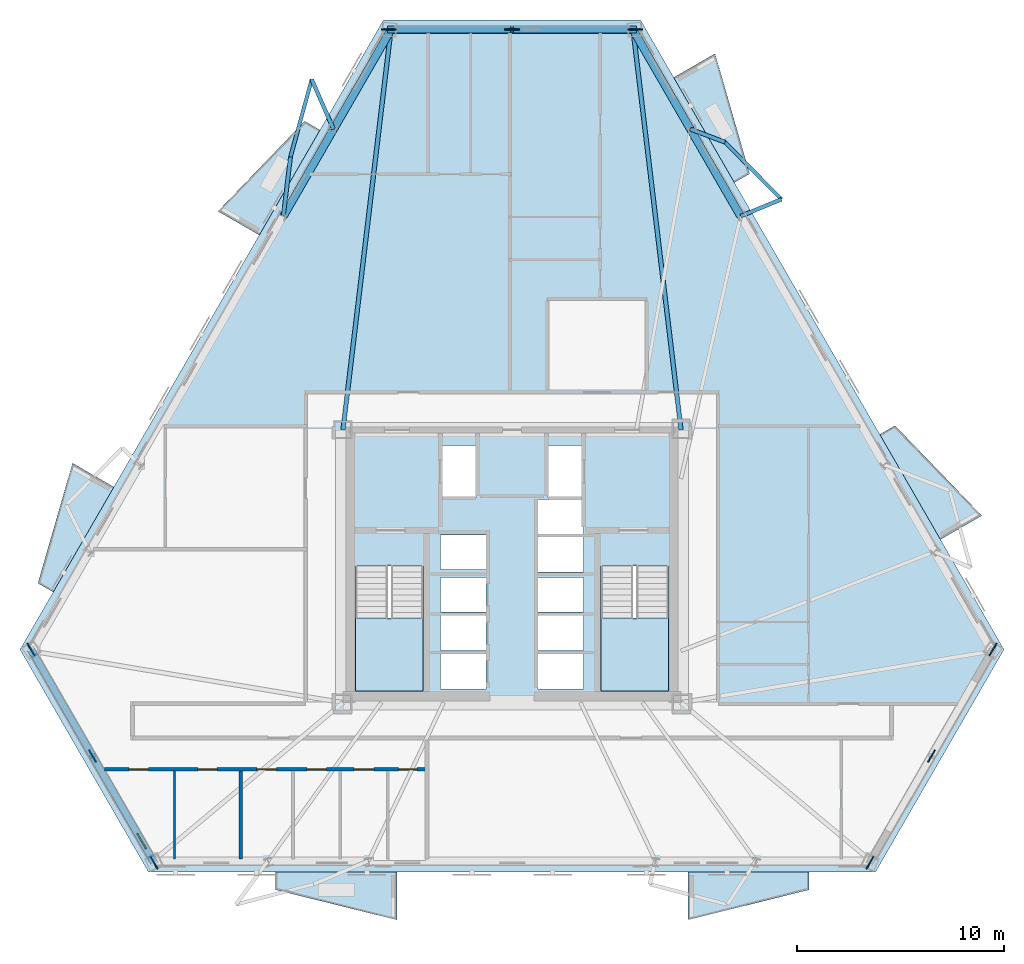
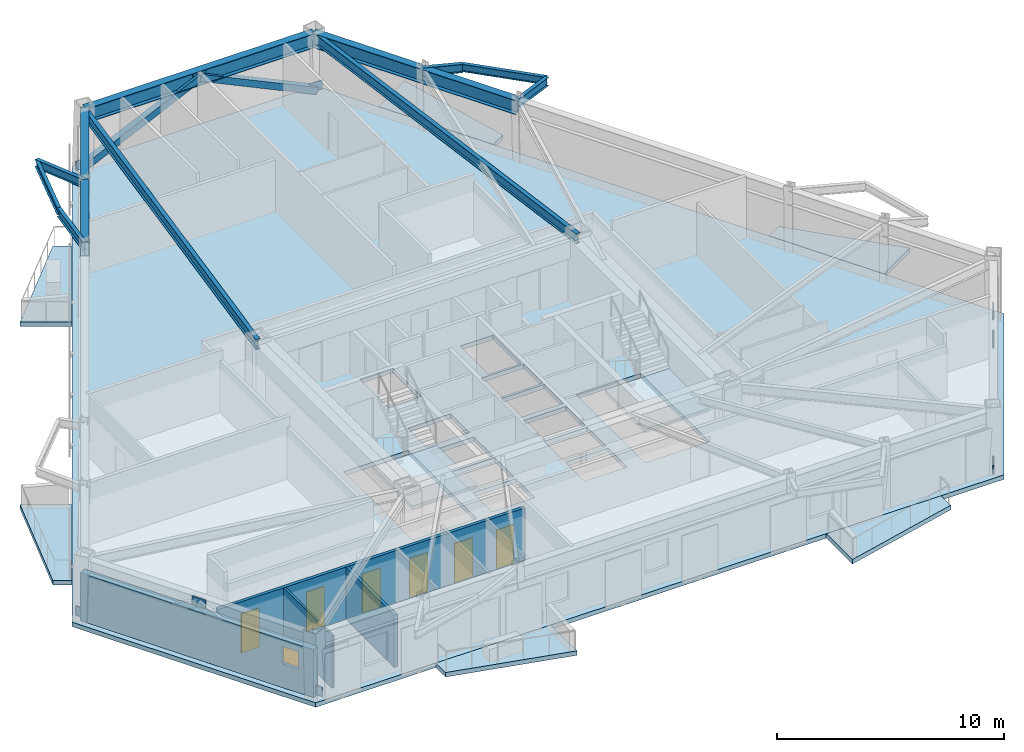
# One storey, part 2 of 10: 13 beams, 9 plates, 9 slabs, 6 doors, 4 walls, 2 members, 1 window, 7 openings, 2 elements without a shape of their own.
"""IFC4 building model written with IfcOpenShell, lengths in metres."""

import ifcopenshell
import ifcopenshell.guid

model = None  # the IFC model being written
_history = None  # IfcOwnerHistory: only IFC2X3 demands one
_inside = {}  # id of a spatial element -> (the spatial element, [elements in it])
_under = {}  # id of a project, library or spatial element -> (it, [spatial elements below it])
_declared = {}  # id of a project -> (the project, [libraries it declares])
_typed = {}  # id of a type object -> (the type object, [elements of that type])
_made_of = {}  # id of a material, layer set ... -> (it, [elements and type objects made of it])


def new_model(schema):
    """Start an empty IFC model of exactly this schema.

    Asked for "IFC4X3", IfcOpenShell would pick the latest addendum, in which some entities
    have other attributes; the version numbers below select the first issue.
    IFC2X3 requires an IfcOwnerHistory on every rooted entity: one is made here for all.
    """
    global model, _history
    if schema == "IFC4X3":
        model = ifcopenshell.file(schema_version=(4, 3, 0, 0))
    else:
        model = ifcopenshell.file(schema=schema)
    _inside.clear()
    _under.clear()
    _declared.clear()
    _typed.clear()
    _made_of.clear()
    _history = None
    if model.schema == "IFC2X3":
        org = make("IfcOrganization", Name="unknown")
        user = make(
            "IfcPersonAndOrganization",
            ThePerson=make("IfcPerson", FamilyName="unknown"),
            TheOrganization=org,
        )
        app = make(
            "IfcApplication",
            ApplicationDeveloper=org,
            Version="unknown",
            ApplicationFullName="unknown",
            ApplicationIdentifier="unknown",
        )
        _history = make(
            "IfcOwnerHistory",
            OwningUser=user,
            OwningApplication=app,
            ChangeAction="ADDED",
            CreationDate=0,
        )
    return model


def make(cls, **values):
    """One entity of the class cls with the attributes given. An attribute that is None is left unset."""
    return model.create_entity(
        cls, **{name: value for name, value in values.items() if value is not None}
    )


def rooted(cls, **values):
    """An entity with a GlobalId (a new one), such as an element, a storey or a relation."""
    return make(cls, GlobalId=ifcopenshell.guid.new(), OwnerHistory=_history, **values)


def si_unit(unit_type, name, prefix=None):
    """IfcSIUnit, for example si_unit("LENGTHUNIT", "METRE", prefix="MILLI")."""
    return make("IfcSIUnit", UnitType=unit_type, Prefix=prefix, Name=name)


def assignment(units):
    """IfcUnitAssignment: the units of a project."""
    return None if units is None else make("IfcUnitAssignment", Units=units)


def point(xyz):
    """IfcCartesianPoint."""
    return None if xyz is None else make("IfcCartesianPoint", Coordinates=xyz)


def direction(xyz):
    """IfcDirection."""
    return None if xyz is None else make("IfcDirection", DirectionRatios=xyz)


def frame(location, z_axis=None, x_axis=None):
    """IfcAxis2Placement3D, a coordinate frame: its origin and axes. An axis left out is left unset."""
    return make(
        "IfcAxis2Placement3D",
        Location=point(location),
        Axis=direction(z_axis),
        RefDirection=direction(x_axis),
    )


def frame_2d(location, x_axis=None):
    """IfcAxis2Placement2D, a coordinate frame in the plane: its origin and x axis."""
    return make(
        "IfcAxis2Placement2D", Location=point(location), RefDirection=direction(x_axis)
    )


def origin():
    """The frame at (0, 0, 0) with its axes left unset."""
    return frame((0.0, 0.0, 0.0))


def origin_2d():
    """The frame at (0, 0) in the plane with its x axis left unset."""
    return frame_2d((0.0, 0.0))


def place(relative_to, where):
    """IfcLocalPlacement: puts the frame where relative to a parent placement (None: the world)."""
    return make(
        "IfcLocalPlacement", PlacementRelTo=relative_to, RelativePlacement=where
    )


def context(
    kind, dimensions, precision=None, world=None, true_north=None, identifier=None
):
    """IfcGeometricRepresentationContext, for example the 3D "Model" context."""
    return make(
        "IfcGeometricRepresentationContext",
        ContextIdentifier=identifier,
        ContextType=kind,
        CoordinateSpaceDimension=dimensions,
        Precision=precision,
        WorldCoordinateSystem=world,
        TrueNorth=true_north,
    )


def subcontext(parent, identifier, kind, view, scale=None):
    """IfcGeometricRepresentationSubContext, for example "Body" below "Model"."""
    return make(
        "IfcGeometricRepresentationSubContext",
        ContextIdentifier=identifier,
        ContextType=kind,
        ParentContext=parent,
        TargetScale=scale,
        TargetView=view,
    )


def project(units=None, contexts=None):
    """IfcProject with its units and contexts."""
    return rooted(
        "IfcProject",
        Name="project",
        RepresentationContexts=contexts,
        UnitsInContext=assignment(units),
    )


def spatial(cls, under=None, at=None, **own):
    """A site, building, storey or space (cls), placed at a placement, below another one or the project."""
    s = rooted(cls, ObjectPlacement=at, **own)
    if under is not None:
        _under.setdefault(under.id(), (under, []))[1].append(s)
    return s


def polyline(points):
    """IfcPolyline through the points."""
    return make("IfcPolyline", Points=[point(p) for p in points])


def profile(cls, at=None, kind="AREA", **sizes):
    """A parametric profile (cls). Its sizes go by their IFC names, for example OverallWidth=200.0."""
    return make(cls, ProfileType=kind, Position=at, **sizes)


def rectangle(**sizes):
    """IfcRectangleProfileDef."""
    return profile("IfcRectangleProfileDef", **sizes)


def hollow_rectangle(**sizes):
    """IfcRectangleHollowProfileDef."""
    return profile("IfcRectangleHollowProfileDef", **sizes)


def i_section(**sizes):
    """IfcIShapeProfileDef."""
    return profile("IfcIShapeProfileDef", **sizes)


def outline(outer, holes=None, kind="AREA"):
    """IfcArbitraryClosedProfileDef: a profile drawn as a closed curve; with holes, ...WithVoids."""
    if holes is None:
        return make("IfcArbitraryClosedProfileDef", ProfileType=kind, OuterCurve=outer)
    return make(
        "IfcArbitraryProfileDefWithVoids",
        ProfileType=kind,
        OuterCurve=outer,
        InnerCurves=holes,
    )


def extrude(swept, where, along, depth):
    """IfcExtrudedAreaSolid: the profile swept, set in the frame where, extruded along a direction by depth."""
    return make(
        "IfcExtrudedAreaSolid",
        SweptArea=swept,
        Position=where,
        ExtrudedDirection=direction(along),
        Depth=depth,
    )


def shape(context_of_items, identifier, shape_type, items):
    """IfcShapeRepresentation: the items that make up one representation, for example the "Body"."""
    return make(
        "IfcShapeRepresentation",
        ContextOfItems=context_of_items,
        RepresentationIdentifier=identifier,
        RepresentationType=shape_type,
        Items=items,
    )


def material(Name=None, Category=None):
    """IfcMaterial."""
    return make("IfcMaterial", Name=Name, Category=Category)


def layer(
    of_material, thickness, ventilated=None, Name=None, Category=None, Priority=None
):
    """IfcMaterialLayer: one layer of a wall or slab, of a material (None: an air gap)."""
    return make(
        "IfcMaterialLayer",
        Material=of_material,
        LayerThickness=thickness,
        IsVentilated=ventilated,
        Name=Name,
        Category=Category,
        Priority=Priority,
    )


def layer_set(layers, Name=None):
    """IfcMaterialLayerSet."""
    return make("IfcMaterialLayerSet", MaterialLayers=layers, LayerSetName=Name)


def material_profile(
    of_material, cross_section, Name=None, Category=None, Priority=None
):
    """IfcMaterialProfile: a cross section and its material."""
    return make(
        "IfcMaterialProfile",
        Name=Name,
        Material=of_material,
        Profile=cross_section,
        Priority=Priority,
        Category=Category,
    )


def profile_set(profiles, Name=None, composite=None):
    """IfcMaterialProfileSet."""
    return make(
        "IfcMaterialProfileSet",
        Name=Name,
        MaterialProfiles=profiles,
        CompositeProfile=composite,
    )


def made_of(thing, what):
    """Note that an element or type object is made of a material, layer set ...; save() writes the relation."""
    if what is not None:
        _made_of.setdefault(what.id(), (what, []))[1].append(thing)
    return thing


def type_object(cls, material=None, **own):
    """A type object (cls), such as IfcWallType, which elements share."""
    return made_of(rooted(cls, **own), material)


def element(
    cls,
    number,
    at=None,
    inside=None,
    cuts=None,
    type_object=None,
    material=None,
    context=None,
    identifier="Body",
    shape_type=None,
    held_by="IfcProductDefinitionShape",
    body=None,
    shapes=None,
    **own,
):
    """One element of the class cls, such as IfcWall. Its Tag is "e" and its number.

    at: its placement. inside: the storey or other place that contains it. cuts: it is an
    opening in that element (IfcRelVoidsElement). A single representation is given by context,
    identifier, shape_type and body (its items); several are given by shapes. held_by: the class
    of the entity that holds the representations. save() writes the other relations.
    """
    e = rooted(cls, Tag="e%d" % number, ObjectPlacement=at, **own)
    if body is not None:
        shapes = [shape(context, identifier, shape_type, body)]
    if shapes is not None:
        e.Representation = make(held_by, Representations=shapes)
    if inside is not None:
        _inside.setdefault(inside.id(), (inside, []))[1].append(e)
    if cuts is not None:
        rooted(
            "IfcRelVoidsElement", RelatingBuildingElement=cuts, RelatedOpeningElement=e
        )
    if type_object is not None:
        _typed.setdefault(type_object.id(), (type_object, []))[1].append(e)
    return made_of(e, material)


def fill(opening, filler):
    """IfcRelFillsElement: the door or window that sits in an opening."""
    return rooted(
        "IfcRelFillsElement",
        RelatingOpeningElement=opening,
        RelatedBuildingElement=filler,
    )


def aggregate(whole, parts):
    """IfcRelAggregates: a whole, such as a stair, and the parts it consists of."""
    return rooted("IfcRelAggregates", RelatingObject=whole, RelatedObjects=parts)


def save(model, path):
    """Write the relations noted so far, then the file.

    IfcRelAggregates (storeys below a building ...), IfcRelContainedInSpatialStructure (elements
    in a storey), IfcRelDefinesByType, IfcRelAssociatesMaterial and IfcRelDeclares: one each for
    every whole, place, type object, material and project.
    """
    for whole, parts in _under.values():
        aggregate(whole, parts)
    for where, things in _inside.values():
        rooted(
            "IfcRelContainedInSpatialStructure",
            RelatedElements=things,
            RelatingStructure=where,
        )
    for kind, things in _typed.values():
        rooted("IfcRelDefinesByType", RelatedObjects=things, RelatingType=kind)
    for what, things in _made_of.values():
        rooted("IfcRelAssociatesMaterial", RelatedObjects=things, RelatingMaterial=what)
    for by, libraries in _declared.values():
        rooted("IfcRelDeclares", RelatingContext=by, RelatedDefinitions=libraries)
    model.write(path)


model = new_model("IFC4")

# Units and contexts
model_context = context("Model", 3, precision=1e-05, world=origin(), true_north=direction((0.0, 1.0)))
body_context = subcontext(model_context, "Body", "Model", "MODEL_VIEW")
ifc_project = project(units=[si_unit("LENGTHUNIT", "METRE"), si_unit("AREAUNIT", "SQUARE_METRE"), si_unit("VOLUMEUNIT", "CUBIC_METRE"), si_unit("PLANEANGLEUNIT", "RADIAN"), si_unit("MASSUNIT", "GRAM", prefix="KILO")], contexts=[model_context])

# Site, building, storey
site_placement = place(None, origin())
site = spatial("IfcSite", under=ifc_project, at=site_placement, CompositionType="ELEMENT")
building_placement = place(site_placement, origin())
building = spatial("IfcBuilding", under=site, at=building_placement, Name="Oramaril Tower", CompositionType="ELEMENT")
storey_placement = place(building_placement, frame((0.0, 0.0, 100.5)))
storey = spatial("IfcBuildingStorey", under=building, at=storey_placement, Name="L26", CompositionType="ELEMENT", Elevation=100.5)

# Beams
ifc_material_1 = material(Name="Steel ASTM A572 Gr 50", Category="steel")
ifc_material_profile_1 = material_profile(ifc_material_1, i_section(OverallWidth=0.19091796875, OverallDepth=0.45703125, WebThickness=0.009033203125, FlangeThickness=0.014404296875, at=origin_2d()), Name="W18X50")
ifc_profile_set_1 = profile_set([ifc_material_profile_1], Name="Steel ASTM A572 Gr 50")
beam_type_1 = type_object("IfcBeamType", Name="BT-BB1", PredefinedType="BEAM", material=ifc_profile_set_1)
beam_1_placement = place(storey_placement, frame((48.526123046875, 34.455322265625, 3.131591796875), z_axis=(0.9239272853, 0.382568126584, 0.0), x_axis=(-0.382568126584, 0.9239272853, 0.0)))
element("IfcBeam", 1, at=beam_1_placement, inside=storey, type_object=beam_type_1, Name="L26 Balcony Column-Framed Cantilever 04.1", PredefinedType="BEAM", context=body_context, shape_type="SweptSolid", body=[
    extrude(i_section(OverallWidth=0.19091796875, OverallDepth=0.45703125, WebThickness=0.009033203125, FlangeThickness=0.014404296875, at=origin_2d()), origin(), (0.0, 0.0, 1.0), 2.12646484375),
])
beam_2_placement = place(storey_placement, frame((46.1044921875, 38.64990234375, 3.131591796875), z_axis=(0.935571800267, -0.353136526779, 0.0), x_axis=(0.353136526779, 0.935571800267, 0.0)))
element("IfcBeam", 2, at=beam_2_placement, inside=storey, type_object=beam_type_1, Name="L26 Balcony Column-Framed Cantilever 04.2", PredefinedType="BEAM", context=body_context, shape_type="SweptSolid", body=[
    extrude(i_section(OverallWidth=0.19091796875, OverallDepth=0.45703125, WebThickness=0.009033203125, FlangeThickness=0.014404296875, at=origin_2d()), origin(), (0.0, 0.0, 1.0), 1.7802734375),
])
beam_3_placement = place(storey_placement, frame((28.8955078125, 38.64990234375, 3.131591796875), z_axis=(-0.402150403145, 0.915573619787, 0.0), x_axis=(-0.915573619787, -0.402150403145, 0.0)))
element("IfcBeam", 3, at=beam_3_placement, inside=storey, type_object=beam_type_1, Name="L26 Balcony Column-Framed Cantilever 05.1", PredefinedType="BEAM", context=body_context, shape_type="SweptSolid", body=[
    extrude(i_section(OverallWidth=0.19091796875, OverallDepth=0.45703125, WebThickness=0.009033203125, FlangeThickness=0.014404296875, at=origin_2d()), origin(), (0.0, 0.0, 1.0), 2.615234375),
])
beam_4_placement = place(storey_placement, frame((26.473876953125, 34.455322265625, 3.131591796875), z_axis=(0.120473253086, 0.992716573495, 0.0), x_axis=(-0.992716573495, 0.120473253086, 0.0)))
element("IfcBeam", 4, at=beam_4_placement, inside=storey, type_object=beam_type_1, Name="L26 Balcony Column-Framed Cantilever 05.2", PredefinedType="BEAM", context=body_context, shape_type="SweptSolid", body=[
    extrude(i_section(OverallWidth=0.19091796875, OverallDepth=0.45703125, WebThickness=0.009033203125, FlangeThickness=0.014404296875, at=origin_2d()), origin(), (0.0, 0.0, 1.0), 2.877685546875),
])
ifc_material_2 = material(Name="Steel ASTM A572 Gr 50", Category="steel")
ifc_material_profile_2 = material_profile(ifc_material_2, i_section(OverallWidth=0.2099609375, OverallDepth=0.535888671875, WebThickness=0.010986328125, FlangeThickness=0.017333984375, at=origin_2d()), Name="W21X68")
ifc_profile_set_2 = profile_set([ifc_material_profile_2], Name="Steel ASTM A572 Gr 50")
beam_type_2 = type_object("IfcBeamType", Name="BT-FB2", PredefinedType="BEAM", material=ifc_profile_set_2)
for number, where, z_axis, x_axis, name in (
    (5, (45.64990234375, 24.14990234375, 3.092041015625), (-0.119030776989, 0.992890565032, 0.0), (-0.992890565032, -0.119030776989, 0.0), "L26 Radial Primary Beam RB-05"),
    (6, (29.35009765625, 24.14990234375, 3.092041015625), (0.119030776989, 0.992890565032, 0.0), (-0.992890565032, 0.119030776989, 0.0), "L26 Radial Primary Beam RB-06"),
):
    element("IfcBeam", number, at=place(storey_placement, frame(where, z_axis=z_axis, x_axis=x_axis)), inside=storey, type_object=beam_type_2, Name=name, PredefinedType="BEAM", context=body_context, shape_type="SweptSolid", body=[
        extrude(i_section(OverallWidth=0.2099609375, OverallDepth=0.535888671875, WebThickness=0.010986328125, FlangeThickness=0.017333984375, at=origin_2d()), origin(), (0.0, 0.0, 1.0), 19.431884765625),
    ])
ifc_material_3 = material(Name="Steel ASTM A572 Gr 50", Category="steel")
ifc_material_profile_3 = material_profile(ifc_material_3, i_section(OverallWidth=0.177978515625, OverallDepth=0.404052734375, WebThickness=0.007568359375, FlangeThickness=0.010986328125, at=origin_2d()), Name="W16X36")
ifc_profile_set_3 = profile_set([ifc_material_profile_3], Name="Steel ASTM A572 Gr 50")
beam_type_3 = type_object("IfcBeamType", Name="BT-SB1", PredefinedType="BEAM", material=ifc_profile_set_3)
for number, where, z_axis, x_axis, name in (
    (7, (50.49072265625, 35.268798828125, 3.157958984375), (-0.702994511648, 0.71119527318, 0.0), (-0.71119527318, -0.702994511648, 0.0), "L26 Balcony Edge Tie Beam 04"),
    (8, (27.84375, 41.04443359375, 3.157958984375), (-0.264382243015, -0.964417974521, 0.0), (0.964417974521, -0.264382243015, 0.0), "L26 Balcony Edge Tie Beam 05"),
):
    element("IfcBeam", number, at=place(storey_placement, frame(where, z_axis=z_axis, x_axis=x_axis)), inside=storey, type_object=beam_type_3, Name=name, PredefinedType="BEAM", context=body_context, shape_type="SweptSolid", body=[
        extrude(i_section(OverallWidth=0.177978515625, OverallDepth=0.404052734375, WebThickness=0.007568359375, FlangeThickness=0.010986328125, at=origin_2d()), origin(), (0.0, 0.0, 1.0), 3.8701171875),
    ])
ifc_material_4 = material(Name="Steel ASTM A572 Gr 50", Category="steel")
ifc_material_profile_4 = material_profile(ifc_material_4, i_section(OverallWidth=0.381103515625, OverallDepth=0.77197265625, WebThickness=0.0166015625, FlangeThickness=0.027099609375, at=origin_2d()), Name="W30X173")
ifc_profile_set_4 = profile_set([ifc_material_profile_4], Name="Steel ASTM A572 Gr 50")
beam_type_4 = type_object("IfcBeamType", Name="BT-SP2", PredefinedType="SPANDREL", material=ifc_profile_set_4)
beam_5_placement = place(storey_placement, frame((48.526123046875, 34.455322265625, 2.97412109375), z_axis=(-0.499982799605, 0.866035334209, 0.0), x_axis=(-0.866035334209, -0.499982799605, 0.0)))
element("IfcBeam", 9, at=beam_5_placement, inside=storey, type_object=beam_type_4, Name="L26 Perimeter Spandrel 11", PredefinedType="SPANDREL", context=body_context, shape_type="SweptSolid", body=[
    extrude(i_section(OverallWidth=0.381103515625, OverallDepth=0.77197265625, WebThickness=0.0166015625, FlangeThickness=0.027099609375, at=origin_2d()), origin(), (0.0, 0.0, 1.0), 4.843505859375),
])
beam_6_placement = place(storey_placement, frame((46.1044921875, 38.64990234375, 2.97412109375), z_axis=(-0.499990984537, 0.866030608802, 0.0), x_axis=(-0.866030608802, -0.499990984537, 0.0)))
element("IfcBeam", 10, at=beam_6_placement, inside=storey, type_object=beam_type_4, Name="L26 Perimeter Spandrel 12", PredefinedType="SPANDREL", context=body_context, shape_type="SweptSolid", body=[
    extrude(i_section(OverallWidth=0.381103515625, OverallDepth=0.77197265625, WebThickness=0.0166015625, FlangeThickness=0.027099609375, at=origin_2d()), origin(), (0.0, 0.0, 1.0), 5.53515625),
])
beam_7_placement = place(storey_placement, frame((43.3369140625, 43.443603515625, 2.97412109375), z_axis=(-1.0, 0.0, 0.0), x_axis=(0.0, -1.0, 0.0)))
element("IfcBeam", 11, at=beam_7_placement, inside=storey, type_object=beam_type_4, Name="L26 Perimeter Spandrel 13", PredefinedType="SPANDREL", context=body_context, shape_type="SweptSolid", body=[
    extrude(i_section(OverallWidth=0.381103515625, OverallDepth=0.77197265625, WebThickness=0.0166015625, FlangeThickness=0.027099609375, at=origin_2d()), origin(), (0.0, 0.0, 1.0), 11.673828125),
])
beam_8_placement = place(storey_placement, frame((31.6630859375, 43.443603515625, 2.97412109375), z_axis=(-0.499990984537, -0.866030608802, 0.0), x_axis=(0.866030608802, -0.499990984537, 0.0)))
element("IfcBeam", 12, at=beam_8_placement, inside=storey, type_object=beam_type_4, Name="L26 Perimeter Spandrel 14", PredefinedType="SPANDREL", context=body_context, shape_type="SweptSolid", body=[
    extrude(i_section(OverallWidth=0.381103515625, OverallDepth=0.77197265625, WebThickness=0.0166015625, FlangeThickness=0.027099609375, at=origin_2d()), origin(), (0.0, 0.0, 1.0), 5.53515625),
])
beam_9_placement = place(storey_placement, frame((28.8955078125, 38.64990234375, 2.97412109375), z_axis=(-0.499982799605, -0.866035334209, 0.0), x_axis=(0.866035334209, -0.499982799605, 0.0)))
element("IfcBeam", 13, at=beam_9_placement, inside=storey, type_object=beam_type_4, Name="L26 Perimeter Spandrel 15", PredefinedType="SPANDREL", context=body_context, shape_type="SweptSolid", body=[
    extrude(i_section(OverallWidth=0.381103515625, OverallDepth=0.77197265625, WebThickness=0.0166015625, FlangeThickness=0.027099609375, at=origin_2d()), origin(), (0.0, 0.0, 1.0), 4.843505859375),
])

# Members
ifc_material_5 = material(Name="Steel ASTM A572 Gr 50", Category="steel")
ifc_material_profile_5 = material_profile(ifc_material_5, hollow_rectangle(XDim=0.35009765625, YDim=0.35009765625, WallThickness=0.01611328125, at=origin_2d()), Name="HSS350X350X16")
ifc_profile_set_5 = profile_set([ifc_material_profile_5], Name="Steel ASTM A572 Gr 50")
member_type = type_object("IfcMemberType", Name="MT-KB1", PredefinedType="BRACE", material=ifc_profile_set_5)
for number, where, z_axis, x_axis, name in (
    (14, (43.431884765625, 43.452880859375, 0.179931640625), (-0.904659157563, 0.0, 0.426135903952), (0.0, -1.0, 0.0), "L26 Perimeter Chevron Brace KB-3A"),
    (15, (31.568115234375, 43.452880859375, 0.179931640625), (0.904659157563, 0.0, 0.426135903952), (0.0, 1.0, 0.0), "L26 Perimeter Chevron Brace KB-3B"),
):
    element("IfcMember", number, at=place(storey_placement, frame(where, z_axis=z_axis, x_axis=x_axis)), inside=storey, type_object=member_type, Name=name, PredefinedType="BRACE", context=body_context, shape_type="SweptSolid", body=[
        extrude(hollow_rectangle(XDim=0.35009765625, YDim=0.35009765625, WallThickness=0.01611328125, at=origin_2d()), origin(), (0.0, 0.0, 1.0), 6.55712890625),
    ])

# Plates
ifc_material_6 = material(Name="Steel ASTM A572 Gr 50", Category="steel")
ifc_layer_1 = layer(ifc_material_6, 0.06005859375)
ifc_layer_set_1 = layer_set([ifc_layer_1], Name="PLT-G60")
plate_type = type_object("IfcPlateType", Name="PLT-G60", PredefinedType="USERDEFINED", material=ifc_layer_set_1)
for number, where, z_axis, x_axis, name in (
    (16, (17.27587890625, 8.423583984375, 2.734130859375), (0.0, 0.0, 1.0), (0.4999984885, -0.866026276448, 0.0), "L26 Chevron Brace Gusset Plate BN-1"),
    (17, (14.309814453125, 13.560791015625, 0.10009765625), (0.0, 0.0, 1.0), (0.4999984885, -0.866026276448, 0.0), "L26 Chevron Brace Gusset Plate BN-1"),
    (18, (20.24169921875, 3.286376953125, 0.10009765625), (0.0, 0.0, 1.0), (0.4999984885, -0.866026276448, 0.0), "L26 Chevron Brace Gusset Plate BN-1"),
    (19, (57.72412109375, 8.423583984375, 2.734130859375), (0.0, 0.0, 1.0), (0.4999984885, 0.866026276448, 0.0), "L26 Chevron Brace Gusset Plate BN-1"),
    (20, (54.75830078125, 3.286376953125, 0.10009765625), (0.0, 0.0, 1.0), (0.4999984885, 0.866026276448, 0.0), "L26 Chevron Brace Gusset Plate BN-1"),
    (21, (60.690185546875, 13.560791015625, 0.10009765625), (0.0, 0.0, 1.0), (0.4999984885, 0.866026276448, 0.0), "L26 Chevron Brace Gusset Plate BN-1"),
    (22, (37.5, 43.452880859375, 2.734130859375), (0.0, 0.0, 1.0), (-1.0, 0.0, 0.0), "L26 Chevron Brace Gusset Plate BN-1"),
    (23, (43.431884765625, 43.452880859375, 0.10009765625), (0.0, 0.0, 1.0), (-1.0, 0.0, 0.0), "L26 Chevron Brace Gusset Plate BN-1"),
    (24, (31.568115234375, 43.452880859375, 0.10009765625), (0.0, 0.0, 1.0), (-1.0, 0.0, 0.0), "L26 Chevron Brace Gusset Plate BN-1"),
):
    element("IfcPlate", number, at=place(storey_placement, frame(where, z_axis=z_axis, x_axis=x_axis)), inside=storey, type_object=plate_type, Name=name, ObjectType="GUSSET", PredefinedType="USERDEFINED", context=body_context, shape_type="SweptSolid", body=[
        extrude(rectangle(XDim=0.679931640625, YDim=0.06005859375, at=origin_2d()), origin(), (0.0, 0.0, 1.0), 0.47998046875),
    ])

# Slabs
ifc_material_7 = material(Name="Concrete C40/50", Category="concrete")
ifc_layer_2 = layer(ifc_material_7, 0.199951171875)
ifc_layer_set_2 = layer_set([ifc_layer_2], Name="SLT-BAL20")
slab_type_1 = type_object("IfcSlabType", Name="SLT-BAL20", PredefinedType="FLOOR", material=ifc_layer_set_2)
slab_1_placement = place(storey_placement, frame((0.0, 0.0, -0.239990234375)))
element("IfcSlab", 25, at=slab_1_placement, inside=storey, type_object=slab_type_1, Name="L26 Cantilevered Balcony Slab L26-BAL-S2", PredefinedType="FLOOR", context=body_context, shape_type="SweptSolid", body=[
    extrude(outline(polyline([(45.973876953125, 2.828369140625), (51.823974609375, 2.828369140625), (51.823974609375, 1.976318359375), (45.973876953125, 0.5263671875), (45.973876953125, 2.828369140625)])), origin(), (0.0, 0.0, 1.0), 0.239990234375),
])
slab_2_placement = place(storey_placement, frame((0.0, 0.0, -0.239990234375)))
element("IfcSlab", 26, at=slab_2_placement, inside=storey, type_object=slab_type_1, Name="L26 Cantilevered Balcony Slab L26-BAL-NE1", PredefinedType="FLOOR", context=body_context, shape_type="SweptSolid", body=[
    extrude(outline(polyline([(58.1572265625, 18.864013671875), (55.232177734375, 23.930419921875), (55.969970703125, 24.3564453125), (60.15087890625, 20.01513671875), (58.1572265625, 18.864013671875)])), origin(), (0.0, 0.0, 1.0), 0.239990234375),
])
slab_3_placement = place(storey_placement, frame((0.0, 0.0, -0.239990234375)))
element("IfcSlab", 27, at=slab_3_placement, inside=storey, type_object=slab_type_1, Name="L26 Cantilevered Balcony Slab L26-BAL-NW2", PredefinedType="FLOOR", context=body_context, shape_type="SweptSolid", body=[
    extrude(outline(polyline([(18.305419921875, 21.397216796875), (15.38037109375, 16.3310546875), (14.642578125, 16.757080078125), (16.311767578125, 22.548095703125), (18.305419921875, 21.397216796875)])), origin(), (0.0, 0.0, 1.0), 0.239990234375),
])
ifc_material_8 = material(Name="Concrete C50/60", Category="concrete")
ifc_layer_3 = layer(ifc_material_8, 0.239990234375)
ifc_layer_set_3 = layer_set([ifc_layer_3], Name="SLT-FLR24")
slab_type_2 = type_object("IfcSlabType", Name="SLT-FLR24", PredefinedType="FLOOR", material=ifc_layer_set_3)
slab_4_placement = place(storey_placement, frame((0.0, 0.0, -0.239990234375)))
element("IfcSlab", 28, at=slab_4_placement, inside=storey, type_object=slab_type_2, Name="L26 Structural Floor Slab", PredefinedType="FLOOR", context=body_context, shape_type="SweptSolid", body=[
    extrude(outline(polyline([(13.778564453125, 13.560791015625), (19.97607421875, 2.826416015625), (55.02392578125, 2.826416015625), (61.221435546875, 13.560791015625), (43.697509765625, 43.9130859375), (31.302490234375, 43.9130859375), (13.778564453125, 13.560791015625)]), holes=[polyline([(29.949951171875, 17.58935546875), (29.949951171875, 11.550048828125), (33.219970703125, 11.550048828125), (33.219970703125, 17.58935546875), (29.949951171875, 17.58935546875)]), polyline([(41.780029296875, 17.58935546875), (41.780029296875, 11.550048828125), (45.050048828125, 11.550048828125), (45.050048828125, 17.58935546875), (41.780029296875, 17.58935546875)]), polyline([(34.110107421875, 20.909912109375), (35.7900390625, 20.909912109375), (35.7900390625, 23.389892578125), (34.110107421875, 23.389892578125), (34.110107421875, 20.909912109375)]), polyline([(39.2099609375, 20.909912109375), (40.889892578125, 20.909912109375), (40.889892578125, 23.389892578125), (39.2099609375, 23.389892578125), (39.2099609375, 20.909912109375)]), polyline([(34.06005859375, 11.659912109375), (36.239990234375, 11.659912109375), (36.239990234375, 13.340087890625), (34.06005859375, 13.340087890625), (34.06005859375, 11.659912109375)]), polyline([(34.06005859375, 13.510009765625), (36.239990234375, 13.510009765625), (36.239990234375, 15.18994140625), (34.06005859375, 15.18994140625), (34.06005859375, 13.510009765625)]), polyline([(34.06005859375, 15.360107421875), (36.239990234375, 15.360107421875), (36.239990234375, 17.0400390625), (34.06005859375, 17.0400390625), (34.06005859375, 15.360107421875)]), polyline([(38.760009765625, 11.659912109375), (40.93994140625, 11.659912109375), (40.93994140625, 13.340087890625), (38.760009765625, 13.340087890625), (38.760009765625, 11.659912109375)]), polyline([(38.760009765625, 13.510009765625), (40.93994140625, 13.510009765625), (40.93994140625, 15.18994140625), (38.760009765625, 15.18994140625), (38.760009765625, 13.510009765625)]), polyline([(38.760009765625, 15.360107421875), (40.93994140625, 15.360107421875), (40.93994140625, 17.0400390625), (38.760009765625, 17.0400390625), (38.760009765625, 15.360107421875)]), polyline([(34.06005859375, 17.409912109375), (36.239990234375, 17.409912109375), (36.239990234375, 19.090087890625), (34.06005859375, 19.090087890625), (34.06005859375, 17.409912109375)]), polyline([(38.760009765625, 17.31005859375), (40.93994140625, 17.31005859375), (40.93994140625, 18.989990234375), (38.760009765625, 18.989990234375), (38.760009765625, 17.31005859375)]), polyline([(38.760009765625, 19.110107421875), (40.93994140625, 19.110107421875), (40.93994140625, 20.7900390625), (38.760009765625, 20.7900390625), (38.760009765625, 19.110107421875)])]), origin(), (0.0, 0.0, 1.0), 0.239990234375),
])

# Stair, slab
ifc_material_9 = material(Name="Concrete C50/60", Category="concrete")
stair_type = type_object("IfcStairType", Name="STT-DG-3600", PredefinedType="HALF_TURN_STAIR", material=ifc_material_9)
stair_1_placement = place(storey_placement, origin())
stair_1 = element("IfcStair", 29, at=stair_1_placement, inside=storey, type_object=stair_type, Name="L26 Protected PFP Exit Stair ST-1", PredefinedType="HALF_TURN_STAIR")
ifc_material_10 = material(Name="Concrete C50/60", Category="concrete")
ifc_layer_4 = layer(ifc_material_10, 0.199951171875)
ifc_layer_set_4 = layer_set([ifc_layer_4], Name="SLT-LND20")
slab_type_3 = type_object("IfcSlabType", Name="SLT-LND20", PredefinedType="LANDING", material=ifc_layer_set_4)
slab_5_placement = place(storey_placement, frame((0.0, 0.0, 1.60009765625)))
slab_5 = element("IfcSlab", 30, at=slab_5_placement, type_object=slab_type_3, Name="ST-1 landing 1", PredefinedType="LANDING", context=body_context, shape_type="SweptSolid", body=[
    extrude(outline(polyline([(29.949951171875, 15.070068359375), (29.949951171875, 11.550048828125), (33.219970703125, 11.550048828125), (33.219970703125, 15.070068359375), (29.949951171875, 15.070068359375)])), origin(), (0.0, 0.0, 1.0), 0.199951171875),
])
aggregate(stair_1, [slab_5])

stair_2_placement = place(storey_placement, origin())
stair_2 = element("IfcStair", 31, at=stair_2_placement, inside=storey, type_object=stair_type, Name="L26 Protected PFP Exit Stair ST-2", PredefinedType="HALF_TURN_STAIR")
slab_6_placement = place(storey_placement, frame((0.0, 0.0, 1.60009765625)))
slab_6 = element("IfcSlab", 32, at=slab_6_placement, type_object=slab_type_3, Name="ST-2 landing 1", PredefinedType="LANDING", context=body_context, shape_type="SweptSolid", body=[
    extrude(outline(polyline([(41.780029296875, 15.070068359375), (41.780029296875, 11.550048828125), (45.050048828125, 11.550048828125), (45.050048828125, 15.070068359375), (41.780029296875, 15.070068359375)])), origin(), (0.0, 0.0, 1.0), 0.199951171875),
])
aggregate(stair_2, [slab_6])

# Slabs
ifc_material_11 = material(Name="Concrete C40/50", Category="concrete")
ifc_layer_5 = layer(ifc_material_11, 0.18994140625)
ifc_layer_set_5 = layer_set([ifc_layer_5], Name="SLT-PLN19")
slab_type_4 = type_object("IfcSlabType", Name="SLT-PLN19", PredefinedType="FLOOR", material=ifc_layer_set_5)
slab_7_placement = place(storey_placement, frame((0.0, 0.0, -0.239990234375)))
element("IfcSlab", 33, at=slab_7_placement, inside=storey, type_object=slab_type_4, Name="L26 Tree Planter Balcony Slab L26-BAL-S1", PredefinedType="FLOOR", context=body_context, shape_type="SweptSolid", body=[
    extrude(outline(polyline([(26.10107421875, 2.828369140625), (31.951171875, 2.828369140625), (31.951171875, 0.5263671875), (26.10107421875, 1.976318359375), (26.10107421875, 2.828369140625)])), origin(), (0.0, 0.0, 1.0), 0.239990234375),
])
slab_8_placement = place(storey_placement, frame((0.0, 0.0, -0.239990234375)))
element("IfcSlab", 34, at=slab_8_placement, inside=storey, type_object=slab_type_4, Name="L26 Tree Planter Balcony Slab L26-BAL-NE2", PredefinedType="FLOOR", context=body_context, shape_type="SweptSolid", body=[
    extrude(outline(polyline([(48.220703125, 36.074462890625), (45.2958984375, 41.140625), (47.289306640625, 42.291748046875), (48.95849609375, 36.50048828125), (48.220703125, 36.074462890625)])), origin(), (0.0, 0.0, 1.0), 0.239990234375),
])
slab_9_placement = place(storey_placement, frame((0.0, 0.0, -0.239990234375)))
element("IfcSlab", 35, at=slab_9_placement, inside=storey, type_object=slab_type_4, Name="L26 Tree Planter Balcony Slab L26-BAL-NW1", PredefinedType="FLOOR", context=body_context, shape_type="SweptSolid", body=[
    extrude(outline(polyline([(28.24169921875, 38.607666015625), (25.316650390625, 33.541259765625), (23.322998046875, 34.6923828125), (27.50390625, 39.03369140625), (28.24169921875, 38.607666015625)])), origin(), (0.0, 0.0, 1.0), 0.239990234375),
])

# Wall, opening, window
ifc_material_12 = material(Name="Warm Cream Limestone", Category="masonry")
ifc_layer_6 = layer(ifc_material_12, 0.340087890625)
ifc_layer_set_6 = layer_set([ifc_layer_6], Name="WT-EXT34")
wall_type_1 = type_object("IfcWallType", Name="WT-EXT34", PredefinedType="SOLIDWALL", material=ifc_layer_set_6)
wall_1_placement = place(storey_placement, frame((14.309814453125, 13.560791015625, 0.0), z_axis=(0.0, 0.0, 1.0), x_axis=(0.4999967785, -0.866027263711, 0.0)))
wall_1 = element("IfcWall", 36, at=wall_1_placement, inside=storey, type_object=wall_type_1, Name="L26 Tower Limestone Facade Wall 1M", PredefinedType="SOLIDWALL", context=body_context, shape_type="SweptSolid", body=[
    extrude(rectangle(XDim=11.86376953125, YDim=0.340087890625, at=frame_2d((5.931884765625, 0.0))), origin(), (0.0, 0.0, 1.0), 2.577880859375),
])
opening_1_placement = place(wall_1_placement, frame((10.240966796875, 0.0, 1.280029296875)))
opening_1 = element("IfcOpeningElement", 37, at=opening_1_placement, cuts=wall_1, Name="Opening WN-13", PredefinedType="OPENING", context=body_context, shape_type="SweptSolid", body=[
    extrude(rectangle(XDim=0.85009765625, YDim=0.919921875, at=frame_2d((0.425048828125, 0.4599609375))), frame((0.0, 0.169921875, 0.0), z_axis=(0.0, -1.0, 0.0), x_axis=(1.0, 0.0, 0.0)), (0.0, 0.0, 1.0), 0.340087890625),
])
ifc_material_13 = material(Name="Coastal Low-E Insulated Glass", Category="glass")
window_type = type_object("IfcWindowType", Name="WNT-13", PartitioningType="SINGLE_PANEL", PredefinedType="WINDOW", material=ifc_material_13)
window_placement = place(opening_1_placement, origin())
window = element("IfcWindow", 38, at=window_placement, inside=storey, type_object=window_type, Name="L26 Apartment Bedroom Window WN-13", OverallHeight=0.919921875, OverallWidth=0.85009765625, PartitioningType="SINGLE_PANEL", PredefinedType="WINDOW", context=body_context, shape_type="SweptSolid", body=[
    extrude(rectangle(XDim=0.85009765625, YDim=0.919921875, at=frame_2d((0.425048828125, 0.4599609375))), frame((0.0, 0.030029296875, 0.0), z_axis=(0.0, -1.0, 0.0), x_axis=(1.0, 0.0, 0.0)), (0.0, 0.0, 1.0), 0.06005859375),
])
fill(opening_1, window)

# Wall
ifc_material_14 = material(Name="Acoustic Gypsum Board Partition")
ifc_layer_7 = layer(ifc_material_14, 0.10009765625)
ifc_layer_set_7 = layer_set([ifc_layer_7], Name="WT-PT10")
wall_type_2 = type_object("IfcWallType", Name="WT-PT10", PredefinedType="PARTITIONING", material=ifc_layer_set_7)
wall_2_placement = place(storey_placement, frame((21.219970703125, 3.460205078125, 0.0), z_axis=(0.0, 0.0, 1.0), x_axis=(0.0, 1.0, 0.0)))
element("IfcWall", 39, at=wall_2_placement, inside=storey, type_object=wall_type_2, Name="L26 Interior Partition PT-10", PredefinedType="PARTITIONING", context=body_context, shape_type="SweptSolid", body=[
    extrude(rectangle(XDim=4.245849609375, YDim=0.10009765625, at=frame_2d((2.123046875, 0.0))), origin(), (0.0, 0.0, 1.0), 2.81396484375),
])

# Wall, openings, doors
ifc_material_15 = material(Name="Acoustic Gypsum Board Partition")
ifc_layer_8 = layer(ifc_material_15, 0.159912109375)
ifc_layer_set_8 = layer_set([ifc_layer_8], Name="WT-PT16")
wall_type_3 = type_object("IfcWallType", Name="WT-PT16", PredefinedType="PARTITIONING", material=ifc_layer_set_8)
wall_3_placement = place(storey_placement, frame((17.84228515625, 7.7900390625, 0.0), z_axis=(0.0, 0.0, 1.0), x_axis=(1.0, 0.0, 0.0)))
wall_3 = element("IfcWall", 40, at=wall_3_placement, inside=storey, type_object=wall_type_3, Name="L26 Interior Partition PT-16", PredefinedType="PARTITIONING", context=body_context, shape_type="SweptSolid", body=[
    extrude(rectangle(XDim=15.607666015625, YDim=0.159912109375, at=frame_2d((7.8037109375, 0.0))), origin(), (0.0, 0.0, 1.0), 2.81396484375),
])
opening_2_placement = place(wall_3_placement, frame((1.199951171875, 0.0, 0.0)))
opening_2 = element("IfcOpeningElement", 41, at=opening_2_placement, cuts=wall_3, Name="Opening D-L26-01", PredefinedType="OPENING", context=body_context, shape_type="SweptSolid", body=[
    extrude(rectangle(XDim=0.919921875, YDim=2.1201171875, at=frame_2d((0.4599609375, 1.06005859375))), frame((0.0, 0.080078125, 0.0), z_axis=(0.0, -1.0, 0.0), x_axis=(1.0, 0.0, 0.0)), (0.0, 0.0, 1.0), 0.159912109375),
])
opening_3_placement = place(wall_3_placement, frame((4.5166015625, 0.0, 0.0)))
opening_3 = element("IfcOpeningElement", 42, at=opening_3_placement, cuts=wall_3, Name="Opening D-L26-02", PredefinedType="OPENING", context=body_context, shape_type="SweptSolid", body=[
    extrude(rectangle(XDim=0.919921875, YDim=2.1201171875, at=frame_2d((0.4599609375, 1.06005859375))), frame((0.0, 0.080078125, 0.0), z_axis=(0.0, -1.0, 0.0), x_axis=(1.0, 0.0, 0.0)), (0.0, 0.0, 1.0), 0.159912109375),
])
opening_4_placement = place(wall_3_placement, frame((7.360595703125, 0.0, 0.0)))
opening_4 = element("IfcOpeningElement", 43, at=opening_4_placement, cuts=wall_3, Name="Opening D-L26-03", PredefinedType="OPENING", context=body_context, shape_type="SweptSolid", body=[
    extrude(rectangle(XDim=0.949951171875, YDim=2.10009765625, at=frame_2d((0.47509765625, 1.050048828125))), frame((0.0, 0.080078125, 0.0), z_axis=(0.0, -1.0, 0.0), x_axis=(1.0, 0.0, 0.0)), (0.0, 0.0, 1.0), 0.159912109375),
])
opening_5_placement = place(wall_3_placement, frame((9.76220703125, 0.0, 0.0)))
opening_5 = element("IfcOpeningElement", 44, at=opening_5_placement, cuts=wall_3, Name="Opening D-L26-04", PredefinedType="OPENING", context=body_context, shape_type="SweptSolid", body=[
    extrude(rectangle(XDim=0.949951171875, YDim=2.10009765625, at=frame_2d((0.47509765625, 1.050048828125))), frame((0.0, 0.080078125, 0.0), z_axis=(0.0, -1.0, 0.0), x_axis=(1.0, 0.0, 0.0)), (0.0, 0.0, 1.0), 0.159912109375),
])
opening_6_placement = place(wall_3_placement, frame((12.04931640625, 0.0, 0.0)))
opening_6 = element("IfcOpeningElement", 45, at=opening_6_placement, cuts=wall_3, Name="Opening D-L26-05", PredefinedType="OPENING", context=body_context, shape_type="SweptSolid", body=[
    extrude(rectangle(XDim=0.949951171875, YDim=2.10009765625, at=frame_2d((0.47509765625, 1.050048828125))), frame((0.0, 0.080078125, 0.0), z_axis=(0.0, -1.0, 0.0), x_axis=(1.0, 0.0, 0.0)), (0.0, 0.0, 1.0), 0.159912109375),
])
opening_7_placement = place(wall_3_placement, frame((14.1875, 0.0, 0.0)))
opening_7 = element("IfcOpeningElement", 46, at=opening_7_placement, cuts=wall_3, Name="Opening D-L26-06", PredefinedType="OPENING", context=body_context, shape_type="SweptSolid", body=[
    extrude(rectangle(XDim=0.8798828125, YDim=2.080078125, at=frame_2d((0.43994140625, 1.0400390625))), frame((0.0, 0.080078125, 0.0), z_axis=(0.0, -1.0, 0.0), x_axis=(1.0, 0.0, 0.0)), (0.0, 0.0, 1.0), 0.159912109375),
])
ifc_material_16 = material(Name="FSC Brazilian Freijo Hardwood", Category="wood")
door_type_1 = type_object("IfcDoorType", Name="DT-BATH", OperationType="NOTDEFINED", PredefinedType="DOOR", material=ifc_material_16)
door_1_placement = place(opening_7_placement, origin())
door_1 = element("IfcDoor", 47, at=door_1_placement, inside=storey, type_object=door_type_1, Name="L26 Flat L26-U2 Bathroom Door D-L26-06", OperationType="SINGLE_SWING_RIGHT", OverallHeight=2.080078125, OverallWidth=0.8798828125, PredefinedType="DOOR", context=body_context, shape_type="SweptSolid", body=[
    extrude(rectangle(XDim=0.8798828125, YDim=2.080078125, at=frame_2d((0.43994140625, 1.0400390625))), frame((0.0, 0.02490234375, 0.0), z_axis=(0.0, -1.0, 0.0), x_axis=(1.0, 0.0, 0.0)), (0.0, 0.0, 1.0), 0.050048828125),
])
fill(opening_7, door_1)
ifc_material_17 = material(Name="FSC Brazilian Freijo Hardwood", Category="wood")
door_type_2 = type_object("IfcDoorType", Name="DT-BED", OperationType="NOTDEFINED", PredefinedType="DOOR", material=ifc_material_17)
door_2_placement = place(opening_2_placement, origin())
door_2 = element("IfcDoor", 48, at=door_2_placement, inside=storey, type_object=door_type_2, Name="L26 Flat L26-U2 Master Bedroom Door D-L26-01", OperationType="SINGLE_SWING_LEFT", OverallHeight=2.1201171875, OverallWidth=0.919921875, PredefinedType="DOOR", context=body_context, shape_type="SweptSolid", body=[
    extrude(rectangle(XDim=0.919921875, YDim=2.1201171875, at=frame_2d((0.4599609375, 1.06005859375))), frame((0.0, 0.02490234375, 0.0), z_axis=(0.0, -1.0, 0.0), x_axis=(1.0, 0.0, 0.0)), (0.0, 0.0, 1.0), 0.050048828125),
])
fill(opening_2, door_2)
door_3_placement = place(opening_3_placement, origin())
door_3 = element("IfcDoor", 49, at=door_3_placement, inside=storey, type_object=door_type_2, Name="L26 Flat L26-U2 Bedroom 2 Door D-L26-02", OperationType="SINGLE_SWING_RIGHT", OverallHeight=2.1201171875, OverallWidth=0.919921875, PredefinedType="DOOR", context=body_context, shape_type="SweptSolid", body=[
    extrude(rectangle(XDim=0.919921875, YDim=2.1201171875, at=frame_2d((0.4599609375, 1.06005859375))), frame((0.0, 0.02490234375, 0.0), z_axis=(0.0, -1.0, 0.0), x_axis=(1.0, 0.0, 0.0)), (0.0, 0.0, 1.0), 0.050048828125),
])
fill(opening_3, door_3)
ifc_material_18 = material(Name="FSC Brazilian Freijo Hardwood", Category="wood")
door_type_3 = type_object("IfcDoorType", Name="DT-STDY", OperationType="NOTDEFINED", PredefinedType="DOOR", material=ifc_material_18)
door_4_placement = place(opening_4_placement, origin())
door_4 = element("IfcDoor", 50, at=door_4_placement, inside=storey, type_object=door_type_3, Name="L26 Flat L26-U2 Dining Room Door D-L26-03", OperationType="SINGLE_SWING_LEFT", OverallHeight=2.10009765625, OverallWidth=0.949951171875, PredefinedType="DOOR", context=body_context, shape_type="SweptSolid", body=[
    extrude(rectangle(XDim=0.949951171875, YDim=2.10009765625, at=frame_2d((0.47509765625, 1.050048828125))), frame((0.0, 0.02490234375, 0.0), z_axis=(0.0, -1.0, 0.0), x_axis=(1.0, 0.0, 0.0)), (0.0, 0.0, 1.0), 0.050048828125),
])
fill(opening_4, door_4)
door_5_placement = place(opening_5_placement, origin())
door_5 = element("IfcDoor", 51, at=door_5_placement, inside=storey, type_object=door_type_3, Name="L26 Flat L26-U2 Private Dining Room Door D-L26-04", OperationType="SINGLE_SWING_RIGHT", OverallHeight=2.10009765625, OverallWidth=0.949951171875, PredefinedType="DOOR", context=body_context, shape_type="SweptSolid", body=[
    extrude(rectangle(XDim=0.949951171875, YDim=2.10009765625, at=frame_2d((0.47509765625, 1.050048828125))), frame((0.0, 0.02490234375, 0.0), z_axis=(0.0, -1.0, 0.0), x_axis=(1.0, 0.0, 0.0)), (0.0, 0.0, 1.0), 0.050048828125),
])
fill(opening_5, door_5)
door_6_placement = place(opening_6_placement, origin())
door_6 = element("IfcDoor", 52, at=door_6_placement, inside=storey, type_object=door_type_3, Name="L26 Flat L26-U2 Kitchen Door D-L26-05", OperationType="SINGLE_SWING_LEFT", OverallHeight=2.10009765625, OverallWidth=0.949951171875, PredefinedType="DOOR", context=body_context, shape_type="SweptSolid", body=[
    extrude(rectangle(XDim=0.949951171875, YDim=2.10009765625, at=frame_2d((0.47509765625, 1.050048828125))), frame((0.0, 0.02490234375, 0.0), z_axis=(0.0, -1.0, 0.0), x_axis=(1.0, 0.0, 0.0)), (0.0, 0.0, 1.0), 0.050048828125),
])
fill(opening_6, door_6)

# Wall
wall_4_placement = place(storey_placement, frame((24.419921875, 3.460205078125, 0.0), z_axis=(0.0, 0.0, 1.0), x_axis=(0.0, 1.0, 0.0)))
element("IfcWall", 53, at=wall_4_placement, inside=storey, type_object=wall_type_3, Name="L26 Interior Partition PT-16", PredefinedType="PARTITIONING", context=body_context, shape_type="SweptSolid", body=[
    extrude(rectangle(XDim=4.245849609375, YDim=0.159912109375, at=frame_2d((2.123046875, 0.0))), origin(), (0.0, 0.0, 1.0), 2.81396484375),
])

save(model, "model.ifc")
